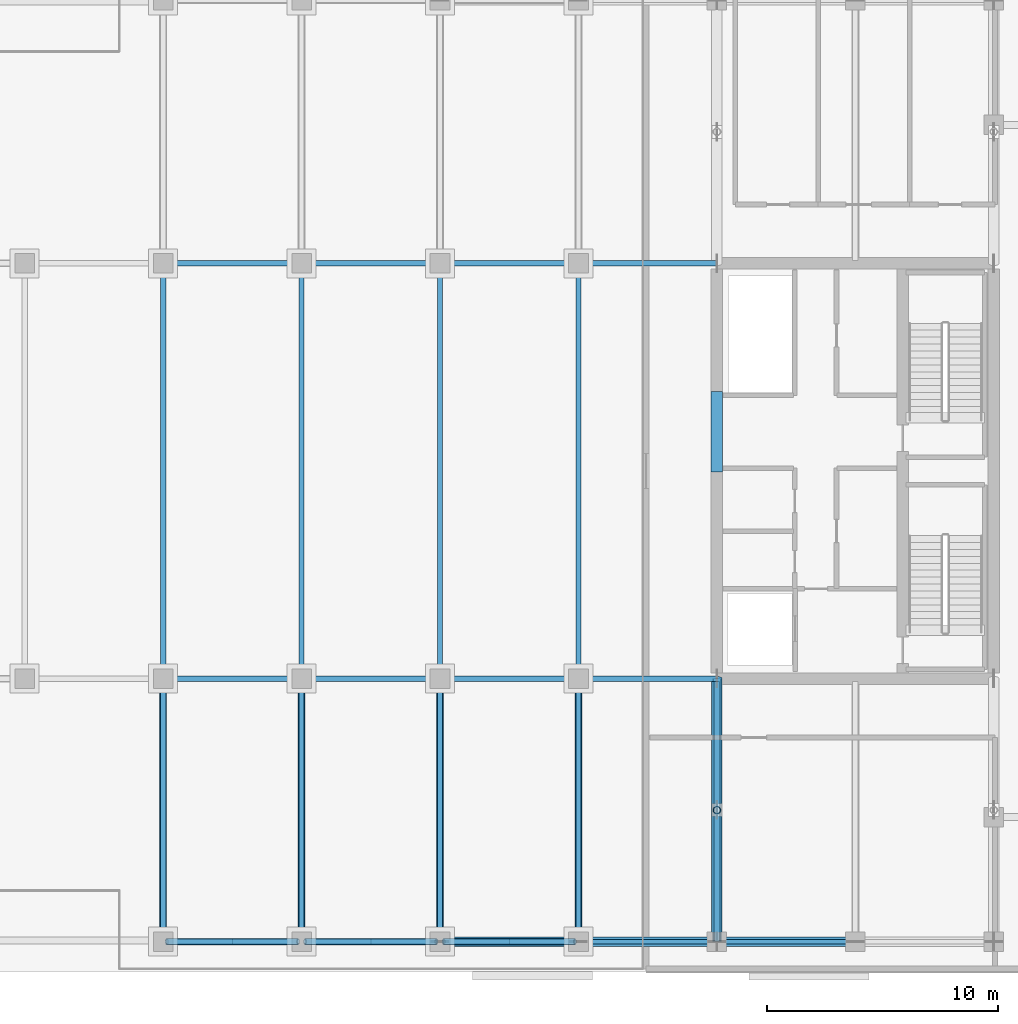
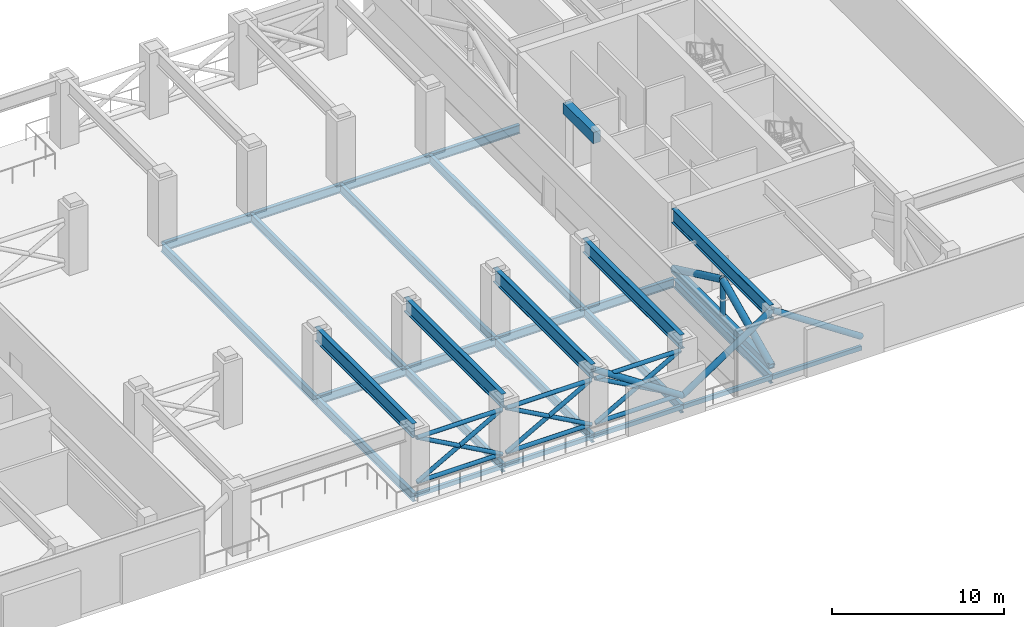
# One storey, part 3 of 18: 28 beams, 19 members.
"""IFC4 building model written with IfcOpenShell, lengths in metres."""

import ifcopenshell
import ifcopenshell.guid

model = None  # the IFC model being written
_history = None  # IfcOwnerHistory: only IFC2X3 demands one
_inside = {}  # id of a spatial element -> (the spatial element, [elements in it])
_under = {}  # id of a project, library or spatial element -> (it, [spatial elements below it])
_declared = {}  # id of a project -> (the project, [libraries it declares])
_typed = {}  # id of a type object -> (the type object, [elements of that type])
_made_of = {}  # id of a material, layer set ... -> (it, [elements and type objects made of it])


def new_model(schema):
    """Start an empty IFC model of exactly this schema.

    Asked for "IFC4X3", IfcOpenShell would pick the latest addendum, in which some entities
    have other attributes; the version numbers below select the first issue.
    IFC2X3 requires an IfcOwnerHistory on every rooted entity: one is made here for all.
    """
    global model, _history
    if schema == "IFC4X3":
        model = ifcopenshell.file(schema_version=(4, 3, 0, 0))
    else:
        model = ifcopenshell.file(schema=schema)
    _inside.clear()
    _under.clear()
    _declared.clear()
    _typed.clear()
    _made_of.clear()
    _history = None
    if model.schema == "IFC2X3":
        org = make("IfcOrganization", Name="unknown")
        user = make(
            "IfcPersonAndOrganization",
            ThePerson=make("IfcPerson", FamilyName="unknown"),
            TheOrganization=org,
        )
        app = make(
            "IfcApplication",
            ApplicationDeveloper=org,
            Version="unknown",
            ApplicationFullName="unknown",
            ApplicationIdentifier="unknown",
        )
        _history = make(
            "IfcOwnerHistory",
            OwningUser=user,
            OwningApplication=app,
            ChangeAction="ADDED",
            CreationDate=0,
        )
    return model


def make(cls, **values):
    """One entity of the class cls with the attributes given. An attribute that is None is left unset."""
    return model.create_entity(
        cls, **{name: value for name, value in values.items() if value is not None}
    )


def rooted(cls, **values):
    """An entity with a GlobalId (a new one), such as an element, a storey or a relation."""
    return make(cls, GlobalId=ifcopenshell.guid.new(), OwnerHistory=_history, **values)


def si_unit(unit_type, name, prefix=None):
    """IfcSIUnit, for example si_unit("LENGTHUNIT", "METRE", prefix="MILLI")."""
    return make("IfcSIUnit", UnitType=unit_type, Prefix=prefix, Name=name)


def assignment(units):
    """IfcUnitAssignment: the units of a project."""
    return None if units is None else make("IfcUnitAssignment", Units=units)


def point(xyz):
    """IfcCartesianPoint."""
    return None if xyz is None else make("IfcCartesianPoint", Coordinates=xyz)


def direction(xyz):
    """IfcDirection."""
    return None if xyz is None else make("IfcDirection", DirectionRatios=xyz)


def frame(location, z_axis=None, x_axis=None):
    """IfcAxis2Placement3D, a coordinate frame: its origin and axes. An axis left out is left unset."""
    return make(
        "IfcAxis2Placement3D",
        Location=point(location),
        Axis=direction(z_axis),
        RefDirection=direction(x_axis),
    )


def frame_2d(location, x_axis=None):
    """IfcAxis2Placement2D, a coordinate frame in the plane: its origin and x axis."""
    return make(
        "IfcAxis2Placement2D", Location=point(location), RefDirection=direction(x_axis)
    )


def origin():
    """The frame at (0, 0, 0) with its axes left unset."""
    return frame((0.0, 0.0, 0.0))


def origin_2d():
    """The frame at (0, 0) in the plane with its x axis left unset."""
    return frame_2d((0.0, 0.0))


def place(relative_to, where):
    """IfcLocalPlacement: puts the frame where relative to a parent placement (None: the world)."""
    return make(
        "IfcLocalPlacement", PlacementRelTo=relative_to, RelativePlacement=where
    )


def context(
    kind, dimensions, precision=None, world=None, true_north=None, identifier=None
):
    """IfcGeometricRepresentationContext, for example the 3D "Model" context."""
    return make(
        "IfcGeometricRepresentationContext",
        ContextIdentifier=identifier,
        ContextType=kind,
        CoordinateSpaceDimension=dimensions,
        Precision=precision,
        WorldCoordinateSystem=world,
        TrueNorth=true_north,
    )


def subcontext(parent, identifier, kind, view, scale=None):
    """IfcGeometricRepresentationSubContext, for example "Body" below "Model"."""
    return make(
        "IfcGeometricRepresentationSubContext",
        ContextIdentifier=identifier,
        ContextType=kind,
        ParentContext=parent,
        TargetScale=scale,
        TargetView=view,
    )


def project(units=None, contexts=None):
    """IfcProject with its units and contexts."""
    return rooted(
        "IfcProject",
        Name="project",
        RepresentationContexts=contexts,
        UnitsInContext=assignment(units),
    )


def spatial(cls, under=None, at=None, **own):
    """A site, building, storey or space (cls), placed at a placement, below another one or the project."""
    s = rooted(cls, ObjectPlacement=at, **own)
    if under is not None:
        _under.setdefault(under.id(), (under, []))[1].append(s)
    return s


def profile(cls, at=None, kind="AREA", **sizes):
    """A parametric profile (cls). Its sizes go by their IFC names, for example OverallWidth=200.0."""
    return make(cls, ProfileType=kind, Position=at, **sizes)


def rectangle(**sizes):
    """IfcRectangleProfileDef."""
    return profile("IfcRectangleProfileDef", **sizes)


def hollow_rectangle(**sizes):
    """IfcRectangleHollowProfileDef."""
    return profile("IfcRectangleHollowProfileDef", **sizes)


def hollow_circle(**sizes):
    """IfcCircleHollowProfileDef."""
    return profile("IfcCircleHollowProfileDef", **sizes)


def i_section(**sizes):
    """IfcIShapeProfileDef."""
    return profile("IfcIShapeProfileDef", **sizes)


def extrude(swept, where, along, depth):
    """IfcExtrudedAreaSolid: the profile swept, set in the frame where, extruded along a direction by depth."""
    return make(
        "IfcExtrudedAreaSolid",
        SweptArea=swept,
        Position=where,
        ExtrudedDirection=direction(along),
        Depth=depth,
    )


def shape(context_of_items, identifier, shape_type, items):
    """IfcShapeRepresentation: the items that make up one representation, for example the "Body"."""
    return make(
        "IfcShapeRepresentation",
        ContextOfItems=context_of_items,
        RepresentationIdentifier=identifier,
        RepresentationType=shape_type,
        Items=items,
    )


def material(Name=None, Category=None):
    """IfcMaterial."""
    return make("IfcMaterial", Name=Name, Category=Category)


def material_profile(
    of_material, cross_section, Name=None, Category=None, Priority=None
):
    """IfcMaterialProfile: a cross section and its material."""
    return make(
        "IfcMaterialProfile",
        Name=Name,
        Material=of_material,
        Profile=cross_section,
        Priority=Priority,
        Category=Category,
    )


def profile_set(profiles, Name=None, composite=None):
    """IfcMaterialProfileSet."""
    return make(
        "IfcMaterialProfileSet",
        Name=Name,
        MaterialProfiles=profiles,
        CompositeProfile=composite,
    )


def made_of(thing, what):
    """Note that an element or type object is made of a material, layer set ...; save() writes the relation."""
    if what is not None:
        _made_of.setdefault(what.id(), (what, []))[1].append(thing)
    return thing


def type_object(cls, material=None, **own):
    """A type object (cls), such as IfcWallType, which elements share."""
    return made_of(rooted(cls, **own), material)


def element(
    cls,
    number,
    at=None,
    inside=None,
    cuts=None,
    type_object=None,
    material=None,
    context=None,
    identifier="Body",
    shape_type=None,
    held_by="IfcProductDefinitionShape",
    body=None,
    shapes=None,
    **own,
):
    """One element of the class cls, such as IfcWall. Its Tag is "e" and its number.

    at: its placement. inside: the storey or other place that contains it. cuts: it is an
    opening in that element (IfcRelVoidsElement). A single representation is given by context,
    identifier, shape_type and body (its items); several are given by shapes. held_by: the class
    of the entity that holds the representations. save() writes the other relations.
    """
    e = rooted(cls, Tag="e%d" % number, ObjectPlacement=at, **own)
    if body is not None:
        shapes = [shape(context, identifier, shape_type, body)]
    if shapes is not None:
        e.Representation = make(held_by, Representations=shapes)
    if inside is not None:
        _inside.setdefault(inside.id(), (inside, []))[1].append(e)
    if cuts is not None:
        rooted(
            "IfcRelVoidsElement", RelatingBuildingElement=cuts, RelatedOpeningElement=e
        )
    if type_object is not None:
        _typed.setdefault(type_object.id(), (type_object, []))[1].append(e)
    return made_of(e, material)


def aggregate(whole, parts):
    """IfcRelAggregates: a whole, such as a stair, and the parts it consists of."""
    return rooted("IfcRelAggregates", RelatingObject=whole, RelatedObjects=parts)


def save(model, path):
    """Write the relations noted so far, then the file.

    IfcRelAggregates (storeys below a building ...), IfcRelContainedInSpatialStructure (elements
    in a storey), IfcRelDefinesByType, IfcRelAssociatesMaterial and IfcRelDeclares: one each for
    every whole, place, type object, material and project.
    """
    for whole, parts in _under.values():
        aggregate(whole, parts)
    for where, things in _inside.values():
        rooted(
            "IfcRelContainedInSpatialStructure",
            RelatedElements=things,
            RelatingStructure=where,
        )
    for kind, things in _typed.values():
        rooted("IfcRelDefinesByType", RelatedObjects=things, RelatingType=kind)
    for what, things in _made_of.values():
        rooted("IfcRelAssociatesMaterial", RelatedObjects=things, RelatingMaterial=what)
    for by, libraries in _declared.values():
        rooted("IfcRelDeclares", RelatingContext=by, RelatedDefinitions=libraries)
    model.write(path)


model = new_model("IFC4")

# Units and contexts
model_context = context("Model", 3, precision=1e-05, world=origin(), true_north=direction((0.0, 1.0)))
body_context = subcontext(model_context, "Body", "Model", "MODEL_VIEW")
ifc_project = project(units=[si_unit("LENGTHUNIT", "METRE"), si_unit("AREAUNIT", "SQUARE_METRE"), si_unit("VOLUMEUNIT", "CUBIC_METRE"), si_unit("PLANEANGLEUNIT", "RADIAN"), si_unit("MASSUNIT", "GRAM", prefix="KILO")], contexts=[model_context])

# Site, building, storey
site_placement = place(None, origin())
site = spatial("IfcSite", under=ifc_project, at=site_placement, CompositionType="ELEMENT")
building_placement = place(site_placement, origin())
building = spatial("IfcBuilding", under=site, at=building_placement, Name="Tanjung Sevakor Pilgrim Tower", CompositionType="ELEMENT")
storey_placement = place(building_placement, frame((0.0, 0.0, 172.919921875)))
storey = spatial("IfcBuildingStorey", under=building, at=storey_placement, Name="L48", CompositionType="ELEMENT", Elevation=172.919921875)

# Beams
ifc_material_1 = material(Name="Steel S355J2", Category="steel")
ifc_material_profile_1 = material_profile(ifc_material_1, i_section(OverallWidth=0.230224609375, OverallDepth=0.6171875, WebThickness=0.01318359375, FlangeThickness=0.022216796875, FilletRadius=0.0126953125, at=origin_2d()))
ifc_profile_set_1 = profile_set([ifc_material_profile_1], Name="Steel S355J2")
beam_type_1 = type_object("IfcBeamType", Name="BM-B-G3-UB_610x229x140", PredefinedType="BEAM", material=ifc_profile_set_1)
for number, where, z_axis, x_axis, name in (
    (1, (54.0, 24.60009765625, -0.588623046875), (1.0, 0.0, 0.0), (0.0, 1.0, 0.0), "L48 Primary Floor Girder MAIN Y246-04"),
    (2, (60.0, 24.60009765625, -0.588623046875), (1.0, 0.0, 0.0), (0.0, 1.0, 0.0), "L48 Primary Floor Girder MAIN Y246-05"),
    (3, (66.0, 24.60009765625, -0.588623046875), (1.0, 0.0, 0.0), (0.0, 1.0, 0.0), "L48 Primary Floor Girder MAIN Y246-06"),
    (4, (72.0, 24.60009765625, -0.588623046875), (1.0, 0.0, 0.0), (0.0, 1.0, 0.0), "L48 Primary Floor Girder MAIN Y246-07"),
    (5, (54.0, 42.60009765625, -0.588623046875), (1.0, 0.0, 0.0), (0.0, 1.0, 0.0), "L48 Primary Floor Girder MAIN Y426-04"),
    (6, (60.0, 42.60009765625, -0.588623046875), (1.0, 0.0, 0.0), (0.0, 1.0, 0.0), "L48 Primary Floor Girder MAIN Y426-05"),
    (7, (66.0, 42.60009765625, -0.588623046875), (1.0, 0.0, 0.0), (0.0, 1.0, 0.0), "L48 Primary Floor Girder MAIN Y426-06"),
    (8, (72.0, 42.60009765625, -0.588623046875), (1.0, 0.0, 0.0), (0.0, 1.0, 0.0), "L48 Primary Floor Girder MAIN Y426-07"),
):
    element("IfcBeam", number, at=place(storey_placement, frame(where, z_axis=z_axis, x_axis=x_axis)), inside=storey, type_object=beam_type_1, Name=name, PredefinedType="BEAM", context=body_context, shape_type="SweptSolid", body=[
        extrude(i_section(OverallWidth=0.230224609375, OverallDepth=0.6171875, WebThickness=0.01318359375, FlangeThickness=0.022216796875, FilletRadius=0.0126953125, at=origin_2d()), origin(), (0.0, 0.0, 1.0), 6.0),
    ])
ifc_material_2 = material(Name="Steel S355J2", Category="steel")
ifc_material_profile_2 = material_profile(ifc_material_2, i_section(OverallWidth=0.22900390625, OverallDepth=0.6123046875, WebThickness=0.011962890625, FlangeThickness=0.01953125, FilletRadius=0.0126953125, at=origin_2d()))
ifc_profile_set_2 = profile_set([ifc_material_profile_2], Name="Steel S355J2")
beam_type_2 = type_object("IfcBeamType", Name="BM-B-G4-UB_610x229x125", PredefinedType="BEAM", material=ifc_profile_set_2)
beam_1_placement = place(storey_placement, frame((54.0, 13.199951171875, -0.5859375), z_axis=(0.0, 1.0, 0.0), x_axis=(-1.0, 0.0, 0.0)))
element("IfcBeam", 9, at=beam_1_placement, inside=storey, type_object=beam_type_2, Name="L48 MAIN Girder 011", PredefinedType="BEAM", context=body_context, shape_type="SweptSolid", body=[
    extrude(i_section(OverallWidth=0.22900390625, OverallDepth=0.6123046875, WebThickness=0.011962890625, FlangeThickness=0.01953125, FilletRadius=0.0126953125, at=origin_2d()), origin(), (0.0, 0.0, 1.0), 11.400146484375),
])
beam_2_placement = place(storey_placement, frame((54.0, 24.60009765625, -0.5859375), z_axis=(0.0, 1.0, 0.0), x_axis=(-1.0, 0.0, 0.0)))
element("IfcBeam", 10, at=beam_2_placement, inside=storey, type_object=beam_type_2, Name="L48 MAIN Girder 012", PredefinedType="BEAM", context=body_context, shape_type="SweptSolid", body=[
    extrude(i_section(OverallWidth=0.22900390625, OverallDepth=0.6123046875, WebThickness=0.011962890625, FlangeThickness=0.01953125, FilletRadius=0.0126953125, at=origin_2d()), origin(), (0.0, 0.0, 1.0), 18.0),
])
beam_3_placement = place(storey_placement, frame((60.0, 13.199951171875, -0.5859375), z_axis=(0.0, 1.0, 0.0), x_axis=(-1.0, 0.0, 0.0)))
element("IfcBeam", 11, at=beam_3_placement, inside=storey, type_object=beam_type_2, Name="L48 MAIN Girder 014", PredefinedType="BEAM", context=body_context, shape_type="SweptSolid", body=[
    extrude(i_section(OverallWidth=0.22900390625, OverallDepth=0.6123046875, WebThickness=0.011962890625, FlangeThickness=0.01953125, FilletRadius=0.0126953125, at=origin_2d()), origin(), (0.0, 0.0, 1.0), 11.400146484375),
])
beam_4_placement = place(storey_placement, frame((60.0, 24.60009765625, -0.5859375), z_axis=(0.0, 1.0, 0.0), x_axis=(-1.0, 0.0, 0.0)))
element("IfcBeam", 12, at=beam_4_placement, inside=storey, type_object=beam_type_2, Name="L48 MAIN Girder 015", PredefinedType="BEAM", context=body_context, shape_type="SweptSolid", body=[
    extrude(i_section(OverallWidth=0.22900390625, OverallDepth=0.6123046875, WebThickness=0.011962890625, FlangeThickness=0.01953125, FilletRadius=0.0126953125, at=origin_2d()), origin(), (0.0, 0.0, 1.0), 18.0),
])
beam_5_placement = place(storey_placement, frame((66.0, 13.199951171875, -0.5859375), z_axis=(0.0, 1.0, 0.0), x_axis=(-1.0, 0.0, 0.0)))
element("IfcBeam", 13, at=beam_5_placement, inside=storey, type_object=beam_type_2, Name="L48 MAIN Girder 017", PredefinedType="BEAM", context=body_context, shape_type="SweptSolid", body=[
    extrude(i_section(OverallWidth=0.22900390625, OverallDepth=0.6123046875, WebThickness=0.011962890625, FlangeThickness=0.01953125, FilletRadius=0.0126953125, at=origin_2d()), origin(), (0.0, 0.0, 1.0), 11.400146484375),
])
beam_6_placement = place(storey_placement, frame((66.0, 24.60009765625, -0.5859375), z_axis=(0.0, 1.0, 0.0), x_axis=(-1.0, 0.0, 0.0)))
element("IfcBeam", 14, at=beam_6_placement, inside=storey, type_object=beam_type_2, Name="L48 MAIN Girder 018", PredefinedType="BEAM", context=body_context, shape_type="SweptSolid", body=[
    extrude(i_section(OverallWidth=0.22900390625, OverallDepth=0.6123046875, WebThickness=0.011962890625, FlangeThickness=0.01953125, FilletRadius=0.0126953125, at=origin_2d()), origin(), (0.0, 0.0, 1.0), 18.0),
])
beam_7_placement = place(storey_placement, frame((72.0, 13.199951171875, -0.5859375), z_axis=(0.0, 1.0, 0.0), x_axis=(-1.0, 0.0, 0.0)))
element("IfcBeam", 15, at=beam_7_placement, inside=storey, type_object=beam_type_2, Name="L48 MAIN Girder 020", PredefinedType="BEAM", context=body_context, shape_type="SweptSolid", body=[
    extrude(i_section(OverallWidth=0.22900390625, OverallDepth=0.6123046875, WebThickness=0.011962890625, FlangeThickness=0.01953125, FilletRadius=0.0126953125, at=origin_2d()), origin(), (0.0, 0.0, 1.0), 11.400146484375),
])
beam_8_placement = place(storey_placement, frame((72.0, 24.60009765625, -0.5859375), z_axis=(0.0, 1.0, 0.0), x_axis=(-1.0, 0.0, 0.0)))
element("IfcBeam", 16, at=beam_8_placement, inside=storey, type_object=beam_type_2, Name="L48 MAIN Girder 021", PredefinedType="BEAM", context=body_context, shape_type="SweptSolid", body=[
    extrude(i_section(OverallWidth=0.22900390625, OverallDepth=0.6123046875, WebThickness=0.011962890625, FlangeThickness=0.01953125, FilletRadius=0.0126953125, at=origin_2d()), origin(), (0.0, 0.0, 1.0), 18.0),
])
beam_9_placement = place(storey_placement, frame((78.0, 13.199951171875, -0.5859375), z_axis=(0.0, 1.0, 0.0), x_axis=(-1.0, 0.0, 0.0)))
element("IfcBeam", 17, at=beam_9_placement, inside=storey, type_object=beam_type_2, Name="L48 MAIN Girder 023", PredefinedType="BEAM", context=body_context, shape_type="SweptSolid", body=[
    extrude(i_section(OverallWidth=0.22900390625, OverallDepth=0.6123046875, WebThickness=0.011962890625, FlangeThickness=0.01953125, FilletRadius=0.0126953125, at=origin_2d()), origin(), (0.0, 0.0, 1.0), 11.284912109375),
])
ifc_material_3 = material(Name="Steel S460M", Category="steel")
ifc_material_profile_3 = material_profile(ifc_material_3, i_section(OverallWidth=0.302001953125, OverallDepth=1.008056640625, WebThickness=0.02099609375, FlangeThickness=0.0400390625, FilletRadius=0.030029296875, at=origin_2d()))
ifc_profile_set_3 = profile_set([ifc_material_profile_3], Name="Steel S460M")
beam_type_3 = type_object("IfcBeamType", Name="BM-B-G7-HE_1000M", PredefinedType="BEAM", material=ifc_profile_set_3)
for number, where, z_axis, x_axis, name in (
    (18, (54.0, 13.199951171875, 4.166015625), (0.0, 1.0, 0.0), (-1.0, 0.0, 0.0), "L48 Setback Transfer Girder South X54-1"),
    (19, (60.0, 13.199951171875, 4.166015625), (0.0, 1.0, 0.0), (-1.0, 0.0, 0.0), "L48 Setback Transfer Girder South X60-1"),
    (20, (66.0, 13.199951171875, 4.166015625), (0.0, 1.0, 0.0), (-1.0, 0.0, 0.0), "L48 Setback Transfer Girder South X66-1"),
    (21, (72.0, 13.199951171875, 4.166015625), (0.0, 1.0, 0.0), (-1.0, 0.0, 0.0), "L48 Setback Transfer Girder South X72-1"),
    (22, (78.0, 13.199951171875, 4.166015625), (0.0, 1.0, 0.0), (-1.0, 0.0, 0.0), "L48 Setback Transfer Girder South X78-1"),
):
    element("IfcBeam", number, at=place(storey_placement, frame(where, z_axis=z_axis, x_axis=x_axis)), inside=storey, type_object=beam_type_3, Name=name, PredefinedType="BEAM", context=body_context, shape_type="SweptSolid", body=[
        extrude(i_section(OverallWidth=0.302001953125, OverallDepth=1.008056640625, WebThickness=0.02099609375, FlangeThickness=0.0400390625, FilletRadius=0.030029296875, at=origin_2d()), origin(), (0.0, 0.0, 1.0), 11.400146484375),
    ])
ifc_material_4 = material(Name="Concrete C60/75", Category="concrete")
ifc_material_profile_4 = material_profile(ifc_material_4, rectangle(XDim=0.5, YDim=0.800048828125, at=origin_2d()))
ifc_profile_set_4 = profile_set([ifc_material_profile_4], Name="Concrete C60/75")
beam_type_4 = type_object("IfcBeamType", Name="BM-B-LN2-RC-BM_500x800", PredefinedType="LINTEL", material=ifc_profile_set_4)
beam_10_placement = place(storey_placement, frame((78.0, 33.550048828125, 4.27001953125), z_axis=(0.0, 1.0, 0.0), x_axis=(-1.0, 0.0, 0.0)))
element("IfcBeam", 23, at=beam_10_placement, inside=storey, type_object=beam_type_4, Name="L48 E Core Coupling Lintel", PredefinedType="LINTEL", context=body_context, shape_type="SweptSolid", body=[
    extrude(rectangle(XDim=0.5, YDim=0.800048828125, at=origin_2d()), origin(), (0.0, 0.0, 1.0), 3.5),
])
ifc_material_5 = material(Name="Steel S355J2", Category="steel")
ifc_material_profile_5 = material_profile(ifc_material_5, hollow_rectangle(XDim=0.199951171875, YDim=0.300048828125, WallThickness=0.012451171875, at=origin_2d()))
ifc_profile_set_5 = profile_set([ifc_material_profile_5], Name="Steel S355J2")
beam_type_5 = type_object("IfcBeamType", Name="BM-B-SP3-RHS_300x200x12.5", PredefinedType="SPANDREL", material=ifc_profile_set_5)
for number, where, z_axis, x_axis, name in (
    (24, (54.0, 13.199951171875, -0.429931640625), (1.0, 0.0, 0.0), (0.0, 1.0, 0.0), "L48 Spandrel MAIN S-07"),
    (25, (60.0, 13.199951171875, -0.429931640625), (1.0, 0.0, 0.0), (0.0, 1.0, 0.0), "L48 Spandrel MAIN S-09"),
    (26, (66.0, 13.199951171875, -0.429931640625), (1.0, 0.0, 0.0), (0.0, 1.0, 0.0), "L48 Spandrel MAIN S-11"),
    (27, (72.0, 13.199951171875, -0.429931640625), (1.0, 0.0, 0.0), (0.0, 1.0, 0.0), "L48 Spandrel MAIN S-13"),
    (28, (78.0, 13.199951171875, -0.429931640625), (1.0, 0.0, 0.0), (0.0, 1.0, 0.0), "L48 Spandrel MAIN S-15"),
):
    element("IfcBeam", number, at=place(storey_placement, frame(where, z_axis=z_axis, x_axis=x_axis)), inside=storey, type_object=beam_type_5, Name=name, PredefinedType="SPANDREL", context=body_context, shape_type="SweptSolid", body=[
        extrude(hollow_rectangle(XDim=0.199951171875, YDim=0.300048828125, WallThickness=0.012451171875, at=origin_2d()), origin(), (0.0, 0.0, 1.0), 6.0),
    ])

# Members
ifc_material_6 = material(Name="Steel S460M", Category="steel")
ifc_material_profile_6 = material_profile(ifc_material_6, hollow_circle(Radius=0.228515625, WallThickness=0.02490234375, at=origin_2d()))
ifc_profile_set_6 = profile_set([ifc_material_profile_6], Name="Steel S460M")
member_type_1 = type_object("IfcMemberType", Name="MEM-M-BR4-CHS_457x25", PredefinedType="BRACE", material=ifc_profile_set_6)
member_1_placement = place(storey_placement, frame((78.0, 13.199951171875, 0.35009765625), z_axis=(0.0, 0.904352899591, 0.426785464843), x_axis=(-1.0, 0.0, 0.0)))
element("IfcMember", 29, at=member_1_placement, inside=storey, type_object=member_type_1, Name="OT-2 L48 Outrigger Truss Diagonal 1 X78 S", PredefinedType="BRACE", context=body_context, shape_type="SweptSolid", body=[
    extrude(hollow_circle(Radius=0.228515625, WallThickness=0.02490234375, at=origin_2d()), origin(), (0.0, 0.0, 1.0), 6.302734375),
])
member_2_placement = place(storey_placement, frame((78.0, 18.89990234375, 3.0400390625), z_axis=(0.0, 0.904359954693, -0.426770514854), x_axis=(-1.0, 0.0, 0.0)))
element("IfcMember", 30, at=member_2_placement, inside=storey, type_object=member_type_1, Name="OT-2 L48 Outrigger Truss Diagonal 2 X78 S", PredefinedType="BRACE", context=body_context, shape_type="SweptSolid", body=[
    extrude(hollow_circle(Radius=0.228515625, WallThickness=0.02490234375, at=origin_2d()), origin(), (0.0, 0.0, 1.0), 6.302978515625),
])
ifc_material_7 = material(Name="Steel S460M", Category="steel")
ifc_material_profile_7 = material_profile(ifc_material_7, hollow_circle(Radius=0.203125, WallThickness=0.02001953125, at=origin_2d()))
ifc_profile_set_7 = profile_set([ifc_material_profile_7], Name="Steel S460M")
member_type_2 = type_object("IfcMemberType", Name="MEM-M-BR5-CHS_406.4x20", PredefinedType="BRACE", material=ifc_profile_set_7)
for number, where, z_axis, x_axis, name in (
    (31, (66.0, 13.199951171875, 4.336181640625), (0.832940851568, 0.0, -0.553362031395), (0.0, 1.0, 0.0), "BT-1 L48 Belt Truss Diagonal Brace S-04"),
    (32, (72.0, 13.199951171875, 0.35009765625), (0.832940851568, 0.0, 0.553362031395), (0.0, 1.0, 0.0), "BT-1 L48 Belt Truss Diagonal Brace S-05"),
    (33, (78.0, 13.199951171875, 4.336181640625), (0.832940851568, 0.0, -0.553362031395), (0.0, 1.0, 0.0), "BT-1 L48 Belt Truss Diagonal Brace S-06"),
):
    element("IfcMember", number, at=place(storey_placement, frame(where, z_axis=z_axis, x_axis=x_axis)), inside=storey, type_object=member_type_2, Name=name, PredefinedType="BRACE", context=body_context, shape_type="SweptSolid", body=[
        extrude(hollow_circle(Radius=0.203125, WallThickness=0.02001953125, at=origin_2d()), origin(), (0.0, 0.0, 1.0), 7.203369140625),
    ])
ifc_material_8 = material(Name="Steel S460M", Category="steel")
ifc_material_profile_8 = material_profile(ifc_material_8, hollow_rectangle(XDim=0.39990234375, YDim=0.39990234375, WallThickness=0.02001953125, at=origin_2d()))
ifc_profile_set_8 = profile_set([ifc_material_profile_8], Name="Steel S460M")
member_type_3 = type_object("IfcMemberType", Name="MEM-M-CH4-SHS_400x400x20", PredefinedType="CHORD", material=ifc_profile_set_8)
member_3_placement = place(storey_placement, frame((78.0, 13.199951171875, 0.35009765625), z_axis=(0.0, 1.0, 0.0), x_axis=(-1.0, 0.0, 0.0)))
element("IfcMember", 34, at=member_3_placement, inside=storey, type_object=member_type_3, Name="OT-1 L48 Outrigger Truss Chord X78 S", PredefinedType="CHORD", context=body_context, shape_type="SweptSolid", body=[
    extrude(hollow_rectangle(XDim=0.39990234375, YDim=0.39990234375, WallThickness=0.02001953125, at=origin_2d()), origin(), (0.0, 0.0, 1.0), 11.400146484375),
])
ifc_material_9 = material(Name="Steel S460M", Category="steel")
ifc_material_profile_9 = material_profile(ifc_material_9, hollow_circle(Radius=0.161865234375, WallThickness=0.01611328125, at=origin_2d()))
ifc_profile_set_9 = profile_set([ifc_material_profile_9], Name="Steel S460M")
member_type_4 = type_object("IfcMemberType", Name="MEM-M-ST4-CHS_323.9x16", PredefinedType="STRUT", material=ifc_profile_set_9)
member_4_placement = place(storey_placement, frame((78.0, 18.89990234375, 0.35009765625), z_axis=(0.0, 0.0, 1.0), x_axis=(1.0, 0.0, 0.0)))
element("IfcMember", 35, at=member_4_placement, inside=storey, type_object=member_type_4, Name="OT-3 L48 Outrigger Truss Strut X78 S", PredefinedType="STRUT", context=body_context, shape_type="SweptSolid", body=[
    extrude(hollow_circle(Radius=0.161865234375, WallThickness=0.01611328125, at=origin_2d()), origin(), (0.0, 0.0, 1.0), 2.68994140625),
])
ifc_material_10 = material(Name="Steel S355J2", Category="steel")
ifc_material_profile_10 = material_profile(ifc_material_10, hollow_circle(Radius=0.136474609375, WallThickness=0.012451171875, at=origin_2d()))
ifc_profile_set_10 = profile_set([ifc_material_profile_10], Name="Steel S355J2")
member_type_5 = type_object("IfcMemberType", Name="TYPE-MB-TURBINE", PredefinedType="USERDEFINED", material=ifc_profile_set_10)
for number, where, z_axis, x_axis, name in (
    (36, (54.14990234375, 13.199951171875, 0.4501953125), (1.0, 0.0, 0.0), (0.0, 1.0, 0.0), "L48 Wind Turbine Shroud BOT WTURB-L48-S2"),
    (37, (54.14990234375, 13.199951171875, 3.6201171875), (1.0, 0.0, 0.0), (0.0, 1.0, 0.0), "L48 Wind Turbine Shroud TOP WTURB-L48-S2"),
):
    element("IfcMember", number, at=place(storey_placement, frame(where, z_axis=z_axis, x_axis=x_axis)), inside=storey, type_object=member_type_5, Name=name, ObjectType="TURBINE_FRAME", PredefinedType="USERDEFINED", context=body_context, shape_type="SweptSolid", body=[
        extrude(hollow_circle(Radius=0.136474609375, WallThickness=0.012451171875, at=origin_2d()), origin(), (0.0, 0.0, 1.0), 5.7001953125),
    ])
for number, where, z_axis, x_axis, name in (
    (38, (54.14990234375, 13.199951171875, 0.4501953125), (0.87395238411, 0.0, 0.486011553678), (0.0, 1.0, 0.0), "L48 Wind Turbine Shroud BL1 WTURB-L48-S2"),
    (39, (54.14990234375, 13.199951171875, 3.6201171875), (0.87395238411, 0.0, -0.486011553678), (0.0, 1.0, 0.0), "L48 Wind Turbine Shroud BL2 WTURB-L48-S2"),
):
    element("IfcMember", number, at=place(storey_placement, frame(where, z_axis=z_axis, x_axis=x_axis)), inside=storey, type_object=member_type_5, Name=name, ObjectType="TURBINE_FRAME", PredefinedType="USERDEFINED", context=body_context, shape_type="SweptSolid", body=[
        extrude(hollow_circle(Radius=0.136474609375, WallThickness=0.012451171875, at=origin_2d()), origin(), (0.0, 0.0, 1.0), 6.522216796875),
    ])
for number, where, z_axis, x_axis, name in (
    (40, (60.14990234375, 13.199951171875, 0.4501953125), (1.0, 0.0, 0.0), (0.0, 1.0, 0.0), "L48 Wind Turbine Shroud BOT WTURB-L48-S3"),
    (41, (60.14990234375, 13.199951171875, 3.6201171875), (1.0, 0.0, 0.0), (0.0, 1.0, 0.0), "L48 Wind Turbine Shroud TOP WTURB-L48-S3"),
):
    element("IfcMember", number, at=place(storey_placement, frame(where, z_axis=z_axis, x_axis=x_axis)), inside=storey, type_object=member_type_5, Name=name, ObjectType="TURBINE_FRAME", PredefinedType="USERDEFINED", context=body_context, shape_type="SweptSolid", body=[
        extrude(hollow_circle(Radius=0.136474609375, WallThickness=0.012451171875, at=origin_2d()), origin(), (0.0, 0.0, 1.0), 5.7001953125),
    ])
for number, where, z_axis, x_axis, name in (
    (42, (60.14990234375, 13.199951171875, 0.4501953125), (0.87395238411, 0.0, 0.486011553678), (0.0, 1.0, 0.0), "L48 Wind Turbine Shroud BL1 WTURB-L48-S3"),
    (43, (60.14990234375, 13.199951171875, 3.6201171875), (0.87395238411, 0.0, -0.486011553678), (0.0, 1.0, 0.0), "L48 Wind Turbine Shroud BL2 WTURB-L48-S3"),
):
    element("IfcMember", number, at=place(storey_placement, frame(where, z_axis=z_axis, x_axis=x_axis)), inside=storey, type_object=member_type_5, Name=name, ObjectType="TURBINE_FRAME", PredefinedType="USERDEFINED", context=body_context, shape_type="SweptSolid", body=[
        extrude(hollow_circle(Radius=0.136474609375, WallThickness=0.012451171875, at=origin_2d()), origin(), (0.0, 0.0, 1.0), 6.522216796875),
    ])
for number, where, z_axis, x_axis, name in (
    (44, (66.14990234375, 13.199951171875, 0.4501953125), (1.0, 0.0, 0.0), (0.0, 1.0, 0.0), "L48 Wind Turbine Shroud BOT WTURB-L48-S4"),
    (45, (66.14990234375, 13.199951171875, 3.6201171875), (1.0, 0.0, 0.0), (0.0, 1.0, 0.0), "L48 Wind Turbine Shroud TOP WTURB-L48-S4"),
):
    element("IfcMember", number, at=place(storey_placement, frame(where, z_axis=z_axis, x_axis=x_axis)), inside=storey, type_object=member_type_5, Name=name, ObjectType="TURBINE_FRAME", PredefinedType="USERDEFINED", context=body_context, shape_type="SweptSolid", body=[
        extrude(hollow_circle(Radius=0.136474609375, WallThickness=0.012451171875, at=origin_2d()), origin(), (0.0, 0.0, 1.0), 5.7001953125),
    ])
for number, where, z_axis, x_axis, name in (
    (46, (66.14990234375, 13.199951171875, 0.4501953125), (0.87395238411, 0.0, 0.486011553678), (0.0, 1.0, 0.0), "L48 Wind Turbine Shroud BL1 WTURB-L48-S4"),
    (47, (66.14990234375, 13.199951171875, 3.6201171875), (0.87395238411, 0.0, -0.486011553678), (0.0, 1.0, 0.0), "L48 Wind Turbine Shroud BL2 WTURB-L48-S4"),
):
    element("IfcMember", number, at=place(storey_placement, frame(where, z_axis=z_axis, x_axis=x_axis)), inside=storey, type_object=member_type_5, Name=name, ObjectType="TURBINE_FRAME", PredefinedType="USERDEFINED", context=body_context, shape_type="SweptSolid", body=[
        extrude(hollow_circle(Radius=0.136474609375, WallThickness=0.012451171875, at=origin_2d()), origin(), (0.0, 0.0, 1.0), 6.522216796875),
    ])

save(model, "model.ifc")
